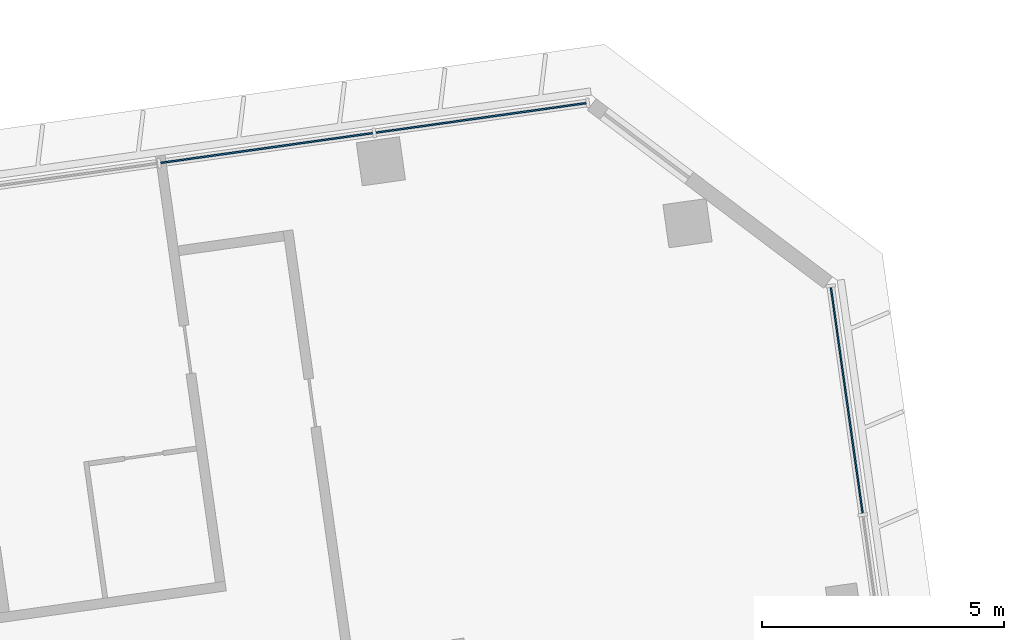
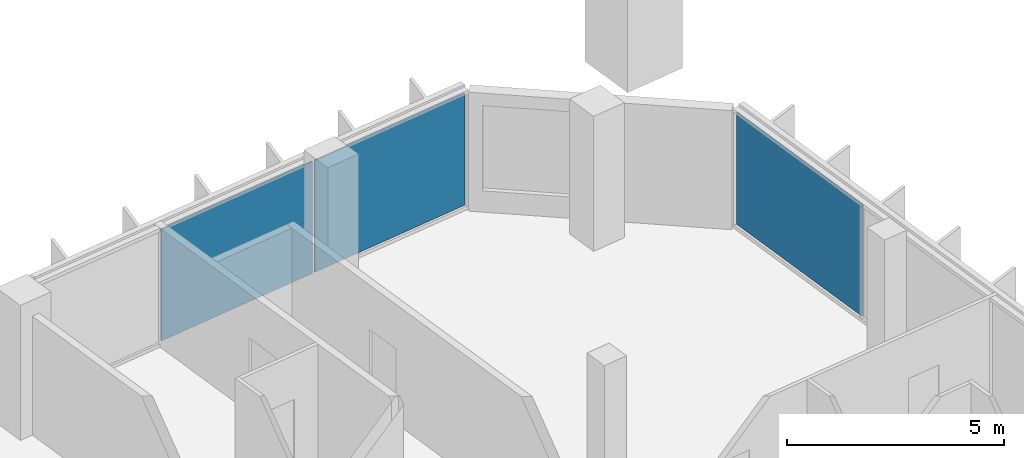
# One storey, part 13 of 26: 3 plates, 2 elements without a shape of their own.
"""IFC4 building model written with IfcOpenShell, lengths in metres."""

from ifc_helpers import new_model, si_unit, direction, frame, origin, origin_2d, place, context, subcontext, project, spatial, rectangle, extrude, material, layer, layer_set, type_object, element, aggregate, save


model = new_model("IFC4")

# Units and contexts
model_context = context("Model", 3, precision=1e-05, world=origin(), true_north=direction((0.0, 1.0)))
body_context = subcontext(model_context, "Body", "Model", "MODEL_VIEW")
ifc_project = project(units=[si_unit("LENGTHUNIT", "METRE"), si_unit("AREAUNIT", "SQUARE_METRE"), si_unit("VOLUMEUNIT", "CUBIC_METRE"), si_unit("PLANEANGLEUNIT", "RADIAN"), si_unit("MASSUNIT", "GRAM", prefix="KILO")], contexts=[model_context])

# Site, building, storey
site_placement = place(None, origin())
site = spatial("IfcSite", under=ifc_project, at=site_placement, CompositionType="ELEMENT")
building_placement = place(site_placement, origin())
building = spatial("IfcBuilding", under=site, at=building_placement, Name="Mirante Cascada Hotel Towers", CompositionType="ELEMENT")
storey_placement = place(building_placement, frame((0.0, 0.0, 106.3)))
storey = spatial("IfcBuildingStorey", under=building, at=storey_placement, Name="L23", CompositionType="ELEMENT", Elevation=106.3)

# Curtain wall, plates
ifc_material_1 = material(Name="Aluminium mullion and transom frame with clear laminated glass", Category="aluminium")
curtain_wall_type_1 = type_object("IfcCurtainWallType", Name="Ribbon curtain wall ECW1", PredefinedType="NOTDEFINED", material=ifc_material_1)
curtain_wall_1_placement = place(storey_placement, origin())
curtain_wall_1 = element("IfcCurtainWall", 1, at=curtain_wall_1_placement, inside=storey, type_object=curtain_wall_type_1, Name="Front ribbon wall T2 L23", PredefinedType="NOTDEFINED")
ifc_material_2 = material(Name="Clear laminated glass", Category="glass")
ifc_layer_1 = layer(ifc_material_2, 0.036)
ifc_layer_set_1 = layer_set([ifc_layer_1], Name="ECW1 glass panel 36")
plate_type_1 = type_object("IfcPlateType", Name="ECW1 glass panel 36", PredefinedType="CURTAIN_PANEL", material=ifc_layer_set_1)
plate_1_placement = place(storey_placement, frame((91.9184, 25.7373, 0.1), z_axis=(0.0, 0.0, 1.0), x_axis=(-0.9902681, -0.1391731, 0.0)))
plate_1 = element("IfcPlate", 2, at=plate_1_placement, type_object=plate_type_1, Name="ECW1 panel 1", PredefinedType="CURTAIN_PANEL", context=body_context, shape_type="SweptSolid", body=[
    extrude(rectangle(XDim=4.3936, YDim=0.036, at=origin_2d()), origin(), (0.0, 0.0, 1.0), 3.15),
])
plate_2_placement = place(storey_placement, frame((87.487, 25.1145, 0.1), z_axis=(0.0, 0.0, 1.0), x_axis=(-0.9902681, -0.1391731, 0.0)))
plate_2 = element("IfcPlate", 3, at=plate_2_placement, type_object=plate_type_1, Name="ECW1 panel 2", PredefinedType="CURTAIN_PANEL", context=body_context, shape_type="SweptSolid", body=[
    extrude(rectangle(XDim=4.4261, YDim=0.036, at=origin_2d()), origin(), (0.0, 0.0, 1.0), 3.15),
])
aggregate(curtain_wall_1, [plate_1, plate_2])

# Curtain wall, plate
ifc_material_3 = material(Name="Aluminium mullion and transom frame with clear laminated glass", Category="aluminium")
curtain_wall_type_2 = type_object("IfcCurtainWallType", Name="End ribbon curtain wall ECW2", PredefinedType="NOTDEFINED", material=ifc_material_3)
curtain_wall_2_placement = place(storey_placement, origin())
curtain_wall_2 = element("IfcCurtainWall", 4, at=curtain_wall_2_placement, inside=storey, type_object=curtain_wall_type_2, Name="Outer end wall T2 L23", PredefinedType="NOTDEFINED")
ifc_material_4 = material(Name="Clear laminated glass", Category="glass")
ifc_layer_2 = layer(ifc_material_4, 0.034)
ifc_layer_set_2 = layer_set([ifc_layer_2], Name="ECW2 glass panel 34")
plate_type_2 = type_object("IfcPlateType", Name="ECW2 glass panel 34", PredefinedType="CURTAIN_PANEL", material=ifc_layer_set_2)
plate_3_placement = place(storey_placement, frame((99.4786, 19.898, 0.1), z_axis=(0.0, 0.0, 1.0), x_axis=(-0.1391731, 0.9902681, 0.0)))
plate_3 = element("IfcPlate", 5, at=plate_3_placement, type_object=plate_type_2, Name="ECW2 panel 6", PredefinedType="CURTAIN_PANEL", context=body_context, shape_type="SweptSolid", body=[
    extrude(rectangle(XDim=4.7151, YDim=0.034, at=origin_2d()), origin(), (0.0, 0.0, 1.0), 3.15),
])
aggregate(curtain_wall_2, [plate_3])

save(model, "model.ifc")
